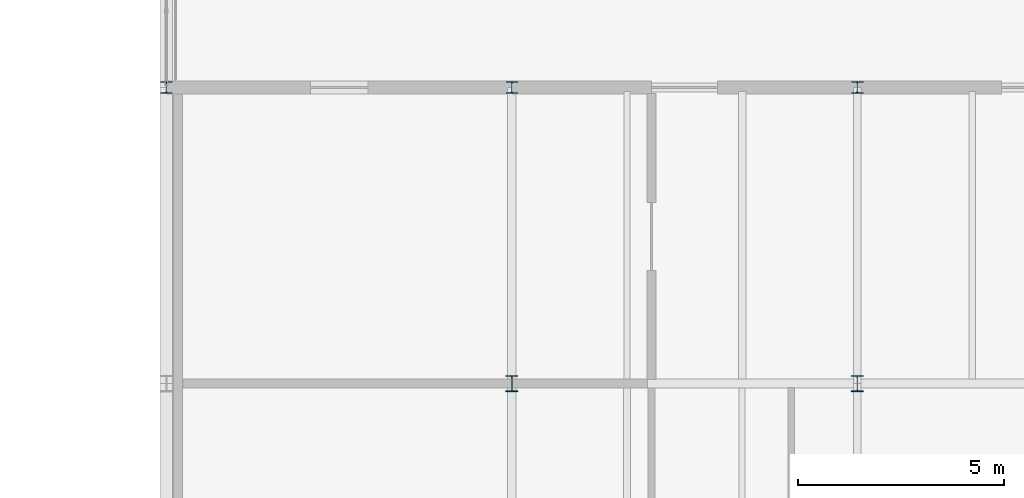
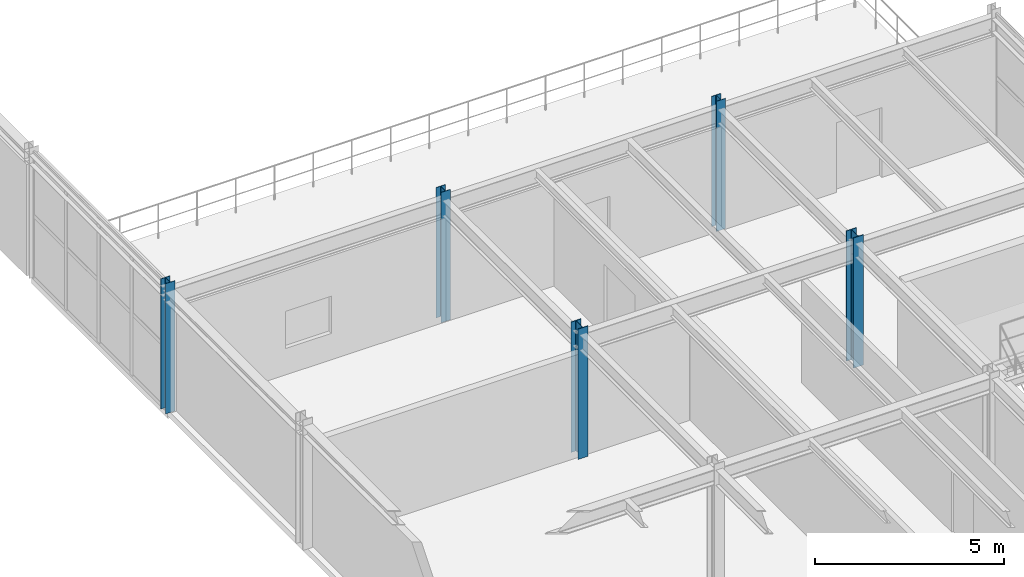
# One storey, part 16 of 73: 5 columns.
"""IFC4 building model written with IfcOpenShell, lengths in metres."""

from ifc_helpers import new_model, si_unit, derived_unit, direction, frame, origin, origin_2d, place, context, subcontext, project, spatial, i_section, extrude, material, material_profile, profile_set, type_object, element, save


model = new_model("IFC4")

# Units and contexts
model_context = context("Model", 3, precision=1e-05, world=origin(), true_north=direction((0.0, 1.0)))
body_context = subcontext(model_context, "Body", "Model", "MODEL_VIEW")
ifc_project = project(units=[si_unit("LENGTHUNIT", "METRE"), si_unit("AREAUNIT", "SQUARE_METRE"), si_unit("VOLUMEUNIT", "CUBIC_METRE"), si_unit("PLANEANGLEUNIT", "RADIAN"), si_unit("MASSUNIT", "GRAM", prefix="KILO"), derived_unit("THERMALTRANSMITTANCEUNIT", [(si_unit("MASSUNIT", "GRAM", prefix="KILO"), 1), (si_unit("TIMEUNIT", "SECOND"), -3), (si_unit("THERMODYNAMICTEMPERATUREUNIT", "KELVIN"), -1)])], contexts=[model_context])

# Site, building, storey
site_placement = place(None, origin())
site = spatial("IfcSite", under=ifc_project, at=site_placement, CompositionType="ELEMENT")
building_placement = place(site_placement, origin())
building = spatial("IfcBuilding", under=site, at=building_placement, Name="Kharveza Railside Sports Centre", CompositionType="ELEMENT")
storey_placement = place(building_placement, frame((0.0, 0.0, 8.699951171875)))
storey = spatial("IfcBuildingStorey", under=building, at=storey_placement, Name="L02", CompositionType="ELEMENT", Elevation=8.699951171875)

# Columns
ifc_material = material(Name="Steel S355J2", Category="steel")
ifc_material_profile_1 = material_profile(ifc_material, i_section(OverallWidth=0.300048828125, OverallDepth=0.389892578125, WebThickness=0.010986328125, FlangeThickness=0.01904296875, FilletRadius=0.027099609375, at=origin_2d()), Name="HEA 400")
ifc_profile_set_1 = profile_set([ifc_material_profile_1], Name="Steel S355J2")
column_type_1 = type_object("IfcColumnType", Name="COL-S10", PredefinedType="COLUMN", material=ifc_profile_set_1)
for number, where, z_axis, x_axis, name in (
    (1, (151.199951171875, 86.39990234375, 0.0), (0.0, 0.0, 1.0), (1.0, 0.0, 0.0), "COL-G-C10-X1512-Y864-L02"),
    (2, (159.60009765625, 86.39990234375, 0.0), (0.0, 0.0, 1.0), (1.0, 0.0, 0.0), "COL-G-C10-X1596-Y864-L02"),
):
    element("IfcColumn", number, at=place(storey_placement, frame(where, z_axis=z_axis, x_axis=x_axis)), inside=storey, type_object=column_type_1, Name=name, PredefinedType="COLUMN", context=body_context, shape_type="SweptSolid", body=[
        extrude(i_section(OverallWidth=0.300048828125, OverallDepth=0.389892578125, WebThickness=0.010986328125, FlangeThickness=0.01904296875, FilletRadius=0.027099609375, at=origin_2d()), origin(), (0.0, 0.0, 1.0), 4.199951171875),
    ])
ifc_material_profile_2 = material_profile(ifc_material, i_section(OverallWidth=0.280029296875, OverallDepth=0.27001953125, WebThickness=0.008056640625, FlangeThickness=0.012939453125, FilletRadius=0.02392578125, at=origin_2d()), Name="HEA 280")
ifc_profile_set_2 = profile_set([ifc_material_profile_2], Name="Steel S355J2")
column_type_2 = type_object("IfcColumnType", Name="COL-S13", PredefinedType="COLUMN", material=ifc_profile_set_2)
for number, where, z_axis, x_axis, name in (
    (3, (142.800048828125, 93.60009765625, 0.0), (0.0, 0.0, 1.0), (1.0, 0.0, 0.0), "COL-G-C13-X1428-Y936-L02"),
    (4, (151.199951171875, 93.60009765625, 0.0), (0.0, 0.0, 1.0), (1.0, 0.0, 0.0), "COL-G-C13-X1512-Y936-L02"),
    (5, (159.60009765625, 93.60009765625, 0.0), (0.0, 0.0, 1.0), (1.0, 0.0, 0.0), "COL-G-C13-X1596-Y936-L02"),
):
    element("IfcColumn", number, at=place(storey_placement, frame(where, z_axis=z_axis, x_axis=x_axis)), inside=storey, type_object=column_type_2, Name=name, PredefinedType="COLUMN", context=body_context, shape_type="SweptSolid", body=[
        extrude(i_section(OverallWidth=0.280029296875, OverallDepth=0.27001953125, WebThickness=0.008056640625, FlangeThickness=0.012939453125, FilletRadius=0.02392578125, at=origin_2d()), origin(), (0.0, 0.0, 1.0), 4.199951171875),
    ])

save(model, "model.ifc")
